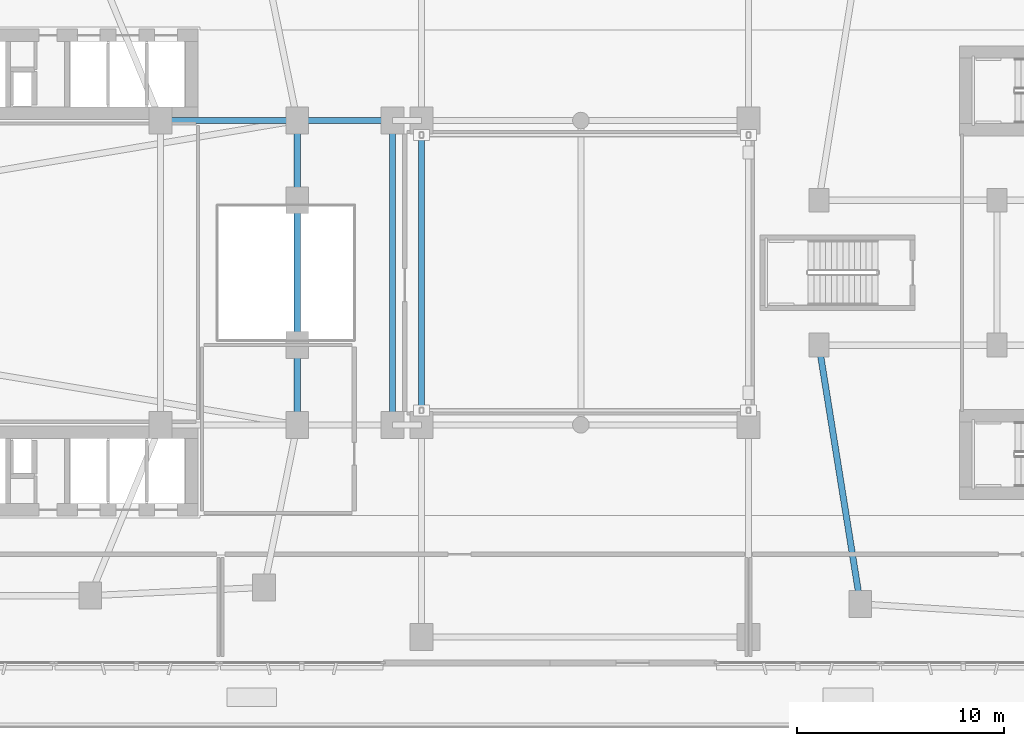
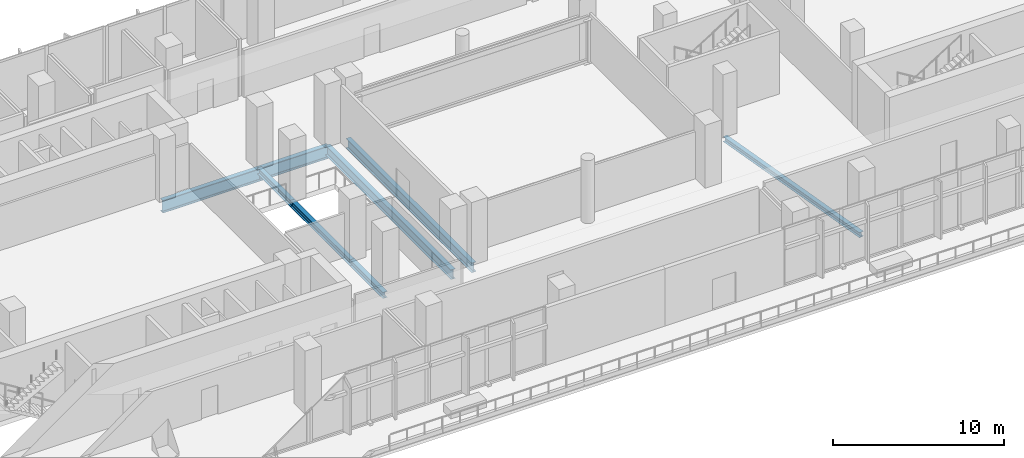
# One storey, part 5 of 31: 8 beams.
"""IFC4 building model written with IfcOpenShell, lengths in metres."""

from ifc_helpers import new_model, si_unit, derived_unit, direction, frame, origin, origin_2d, place, context, subcontext, project, spatial, i_section, extrude, material, material_profile, profile_set, type_object, element, save


model = new_model("IFC4")

# Units and contexts
model_context = context("Model", 3, precision=1e-05, world=origin(), true_north=direction((0.0, 1.0)))
body_context = subcontext(model_context, "Body", "Model", "MODEL_VIEW")
ifc_project = project(units=[si_unit("LENGTHUNIT", "METRE"), si_unit("AREAUNIT", "SQUARE_METRE"), si_unit("VOLUMEUNIT", "CUBIC_METRE"), si_unit("PLANEANGLEUNIT", "RADIAN"), si_unit("MASSUNIT", "GRAM", prefix="KILO"), derived_unit("THERMALTRANSMITTANCEUNIT", [(si_unit("POWERUNIT", "WATT"), 1), (si_unit("LENGTHUNIT", "METRE"), -2), (si_unit("THERMODYNAMICTEMPERATUREUNIT", "KELVIN"), -1)])], contexts=[model_context])

# Site, building, storey
site_placement = place(None, origin())
site = spatial("IfcSite", under=ifc_project, at=site_placement, CompositionType="ELEMENT")
building_placement = place(site_placement, origin())
building = spatial("IfcBuilding", under=site, at=building_placement, Name="Kivonza Crest Hotel", CompositionType="ELEMENT")
storey_placement = place(building_placement, frame((0.0, 0.0, 15.0)))
storey = spatial("IfcBuildingStorey", under=building, at=storey_placement, Name="L03", CompositionType="ELEMENT", Elevation=15.0)

# Beams
ifc_material = material(Name="Steel S355", Category="steel")
ifc_material_profile_1 = material_profile(ifc_material, i_section(OverallWidth=0.300048828125, OverallDepth=0.360107421875, WebThickness=0.012451171875, FlangeThickness=0.0224609375, FilletRadius=0.027099609375, at=origin_2d()), Name="HEB 360")
ifc_profile_set_1 = profile_set([ifc_material_profile_1], Name="Steel S355")
beam_type_1 = type_object("IfcBeamType", Name="BM-HEB360", PredefinedType="SPANDREL", material=ifc_profile_set_1)
beam_1_placement = place(storey_placement, frame((61.0, 21.5, -0.530029296875), z_axis=(0.157990501107, -0.987440631917, 0.0), x_axis=(0.987440631917, 0.157990501107, 0.0)))
element("IfcBeam", 1, at=beam_1_placement, inside=storey, type_object=beam_type_1, Name="Companion Tower T2 L03 perimeter spandrel W1-SW", PredefinedType="SPANDREL", context=body_context, shape_type="SweptSolid", body=[
    extrude(i_section(OverallWidth=0.300048828125, OverallDepth=0.360107421875, WebThickness=0.012451171875, FlangeThickness=0.0224609375, FilletRadius=0.027099609375, at=origin_2d()), origin(), (0.0, 0.0, 1.0), 12.658935546875),
])
ifc_material_profile_2 = material_profile(ifc_material, i_section(OverallWidth=0.300048828125, OverallDepth=0.449951171875, WebThickness=0.013916015625, FlangeThickness=0.02587890625, FilletRadius=0.027099609375, at=origin_2d()), Name="HEB 450")
ifc_profile_set_2 = profile_set([ifc_material_profile_2], Name="Steel S355")
beam_type_2 = type_object("IfcBeamType", Name="BM-HEB450", PredefinedType="SPANDREL", material=ifc_profile_set_2)
beam_2_placement = place(storey_placement, frame((35.800048828125, 17.64990234375, -0.574951171875), z_axis=(0.0, 1.0, 0.0), x_axis=(-1.0, 0.0, 0.0)))
element("IfcBeam", 2, at=beam_2_placement, inside=storey, type_object=beam_type_2, Name="Tower T1 L03 perimeter spandrel PSE-E1", PredefinedType="SPANDREL", context=body_context, shape_type="SweptSolid", body=[
    extrude(i_section(OverallWidth=0.300048828125, OverallDepth=0.449951171875, WebThickness=0.013916015625, FlangeThickness=0.02587890625, FilletRadius=0.027099609375, at=origin_2d()), origin(), (0.0, 0.0, 1.0), 3.85009765625),
])
beam_3_placement = place(storey_placement, frame((35.800048828125, 21.5, -0.574951171875), z_axis=(0.0, 1.0, 0.0), x_axis=(-1.0, 0.0, 0.0)))
element("IfcBeam", 3, at=beam_3_placement, inside=storey, type_object=beam_type_2, Name="Tower T1 L03 perimeter spandrel E1-E2", PredefinedType="SPANDREL", context=body_context, shape_type="SweptSolid", body=[
    extrude(i_section(OverallWidth=0.300048828125, OverallDepth=0.449951171875, WebThickness=0.013916015625, FlangeThickness=0.02587890625, FilletRadius=0.027099609375, at=origin_2d()), origin(), (0.0, 0.0, 1.0), 7.0),
])
beam_4_placement = place(storey_placement, frame((35.800048828125, 28.5, -0.574951171875), z_axis=(0.0, 1.0, 0.0), x_axis=(-1.0, 0.0, 0.0)))
element("IfcBeam", 4, at=beam_4_placement, inside=storey, type_object=beam_type_2, Name="Tower T1 L03 perimeter spandrel E2-PNE", PredefinedType="SPANDREL", context=body_context, shape_type="SweptSolid", body=[
    extrude(i_section(OverallWidth=0.300048828125, OverallDepth=0.449951171875, WebThickness=0.013916015625, FlangeThickness=0.02587890625, FilletRadius=0.027099609375, at=origin_2d()), origin(), (0.0, 0.0, 1.0), 3.85009765625),
])
ifc_material_profile_3 = material_profile(ifc_material, i_section(OverallWidth=0.300048828125, OverallDepth=0.699951171875, WebThickness=0.01708984375, FlangeThickness=0.031982421875, FilletRadius=0.027099609375, at=origin_2d()), Name="HEB 700")
ifc_profile_set_3 = profile_set([ifc_material_profile_3], Name="Steel S355")
beam_type_3 = type_object("IfcBeamType", Name="BM-HEB700", PredefinedType="BEAM", material=ifc_profile_set_3)
for number, where, z_axis, x_axis, name in (
    (5, (40.39990234375, 17.64990234375, -0.699951171875), (0.0, 1.0, 0.0), (-1.0, 0.0, 0.0), "L03 podium girder Y 36"),
    (6, (41.800048828125, 17.64990234375, -0.699951171875), (0.0, 1.0, 0.0), (-1.0, 0.0, 0.0), "L03 podium girder Y 38"),
):
    element("IfcBeam", number, at=place(storey_placement, frame(where, z_axis=z_axis, x_axis=x_axis)), inside=storey, type_object=beam_type_3, Name=name, PredefinedType="BEAM", context=body_context, shape_type="SweptSolid", body=[
        extrude(i_section(OverallWidth=0.300048828125, OverallDepth=0.699951171875, WebThickness=0.01708984375, FlangeThickness=0.031982421875, FilletRadius=0.027099609375, at=origin_2d()), origin(), (0.0, 0.0, 1.0), 14.7001953125),
    ])
ifc_material_profile_4 = material_profile(ifc_material, i_section(OverallWidth=0.300048828125, OverallDepth=0.89990234375, WebThickness=0.0185546875, FlangeThickness=0.034912109375, FilletRadius=0.030029296875, at=origin_2d()), Name="HEB 900")
ifc_profile_set_4 = profile_set([ifc_material_profile_4], Name="Steel S355")
beam_type_4 = type_object("IfcBeamType", Name="BM-HEB900", PredefinedType="BEAM", material=ifc_profile_set_4)
beam_5_placement = place(storey_placement, frame((29.199951171875, 32.35009765625, -0.800048828125), z_axis=(1.0, 0.0, 0.0), x_axis=(0.0, 1.0, 0.0)))
element("IfcBeam", 7, at=beam_5_placement, inside=storey, type_object=beam_type_4, Name="Tower T1 L03 primary girder TNE-PNE", PredefinedType="BEAM", context=body_context, shape_type="SweptSolid", body=[
    extrude(i_section(OverallWidth=0.300048828125, OverallDepth=0.89990234375, WebThickness=0.0185546875, FlangeThickness=0.034912109375, FilletRadius=0.030029296875, at=origin_2d()), origin(), (0.0, 0.0, 1.0), 6.60009765625),
])
beam_6_placement = place(storey_placement, frame((40.39990234375, 32.35009765625, -0.800048828125), z_axis=(-1.0, 0.0, 0.0), x_axis=(0.0, -1.0, 0.0)))
element("IfcBeam", 8, at=beam_6_placement, inside=storey, type_object=beam_type_4, Name="Tower T1 L03 outer bay girder ZE2", PredefinedType="BEAM", context=body_context, shape_type="SweptSolid", body=[
    extrude(i_section(OverallWidth=0.300048828125, OverallDepth=0.89990234375, WebThickness=0.0185546875, FlangeThickness=0.034912109375, FilletRadius=0.030029296875, at=origin_2d()), origin(), (0.0, 0.0, 1.0), 4.599853515625),
])

save(model, "model.ifc")
